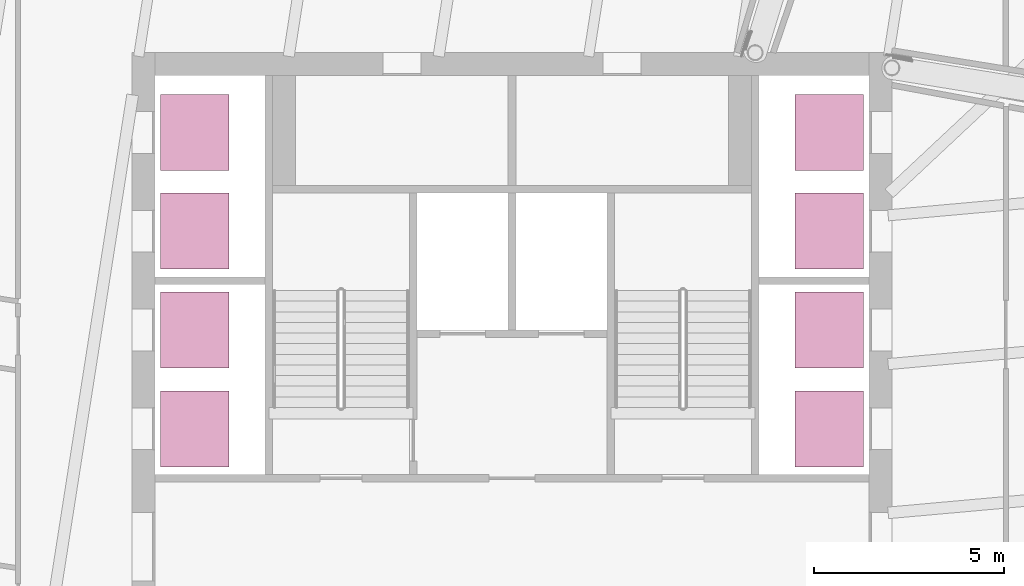
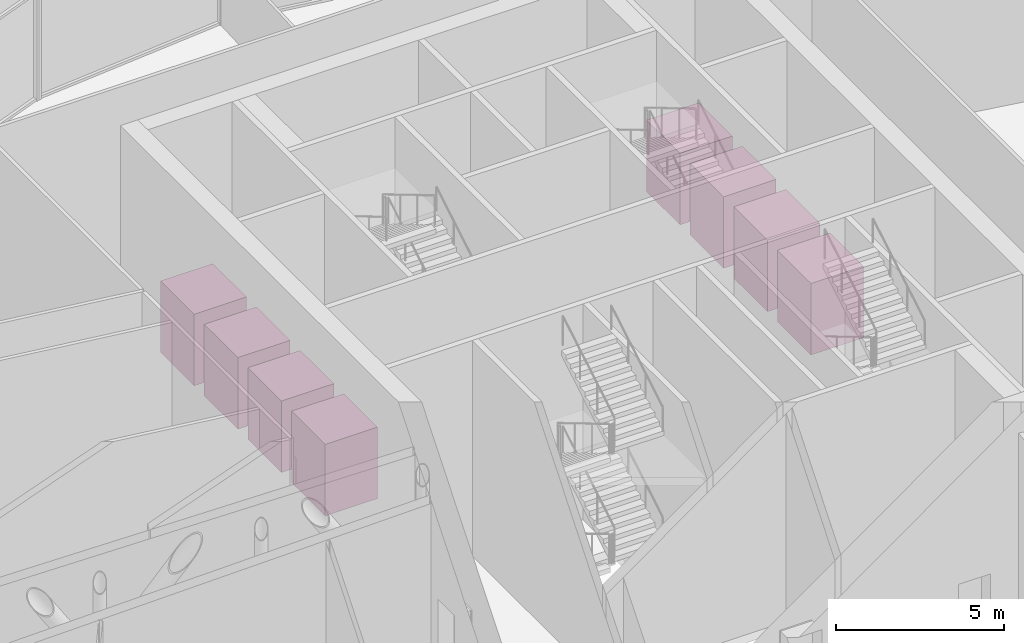
# One storey, part 54 of 55: 8 transport elements.
"""IFC4 building model written with IfcOpenShell, lengths in metres."""

from ifc_helpers import new_model, si_unit, direction, frame, origin, origin_2d, place, context, subcontext, project, spatial, rectangle, extrude, material, type_object, element, save


model = new_model("IFC4")

# Units and contexts
model_context = context("Model", 3, precision=1e-05, world=origin(), true_north=direction((0.0, 1.0)))
body_context = subcontext(model_context, "Body", "Model", "MODEL_VIEW")
ifc_project = project(units=[si_unit("LENGTHUNIT", "METRE"), si_unit("AREAUNIT", "SQUARE_METRE"), si_unit("VOLUMEUNIT", "CUBIC_METRE"), si_unit("PLANEANGLEUNIT", "RADIAN"), si_unit("MASSUNIT", "GRAM", prefix="KILO")], contexts=[model_context])

# Site, building, storey
site_placement = place(None, origin())
site = spatial("IfcSite", under=ifc_project, at=site_placement, CompositionType="ELEMENT")
building_placement = place(site_placement, origin())
building = spatial("IfcBuilding", under=site, at=building_placement, Name="Tarsis Ring Headquarters", CompositionType="ELEMENT")
storey_placement = place(building_placement, frame((0.0, 0.0, 247.199951171875)))
storey = spatial("IfcBuildingStorey", under=building, at=storey_placement, Name="L58", CompositionType="ELEMENT", Elevation=247.199951171875)

# Transport elements
ifc_material = material(Name="Stainless steel", Category="steel")
transport_element_type = type_object("IfcTransportElementType", Name="Lift car 2000x1800", PredefinedType="ELEVATOR", material=ifc_material)
for number, where, z_axis, x_axis, name in (
    (1, (-8.35009765625, 3.10009765625, 0.0), (0.0, 0.0, 1.0), (1.0, 0.0, 0.0), "High-rise lift 1 car"),
    (2, (-8.35009765625, 5.699951171875, 0.0), (0.0, 0.0, 1.0), (1.0, 0.0, 0.0), "High-rise lift 2 car"),
    (3, (-8.35009765625, 8.300048828125, 0.0), (0.0, 0.0, 1.0), (1.0, 0.0, 0.0), "High-rise lift 3 car"),
    (4, (-8.35009765625, 10.89990234375, 0.0), (0.0, 0.0, 1.0), (1.0, 0.0, 0.0), "High-rise lift 4 car"),
    (5, (8.35009765625, 3.10009765625, 0.0), (0.0, 0.0, 1.0), (1.0, 0.0, 0.0), "High-rise lift 5 car"),
    (6, (8.35009765625, 5.699951171875, 0.0), (0.0, 0.0, 1.0), (1.0, 0.0, 0.0), "High-rise lift 6 car"),
    (7, (8.35009765625, 8.300048828125, 0.0), (0.0, 0.0, 1.0), (1.0, 0.0, 0.0), "High-rise lift 7 car"),
    (8, (8.35009765625, 10.89990234375, 0.0), (0.0, 0.0, 1.0), (1.0, 0.0, 0.0), "High-rise lift 8 car"),
):
    element("IfcTransportElement", number, at=place(storey_placement, frame(where, z_axis=z_axis, x_axis=x_axis)), inside=storey, type_object=transport_element_type, Name=name, PredefinedType="ELEVATOR", context=body_context, shape_type="SweptSolid", body=[
        extrude(rectangle(XDim=1.800048828125, YDim=2.0, at=origin_2d()), origin(), (0.0, 0.0, 1.0), 2.60009765625),
    ])

save(model, "model.ifc")
